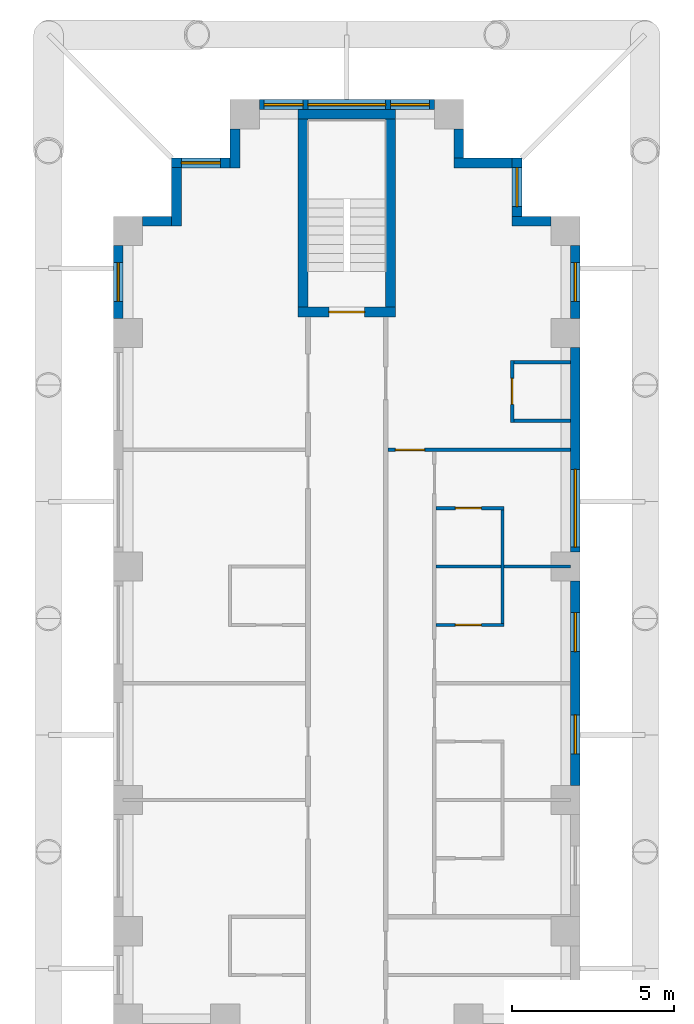
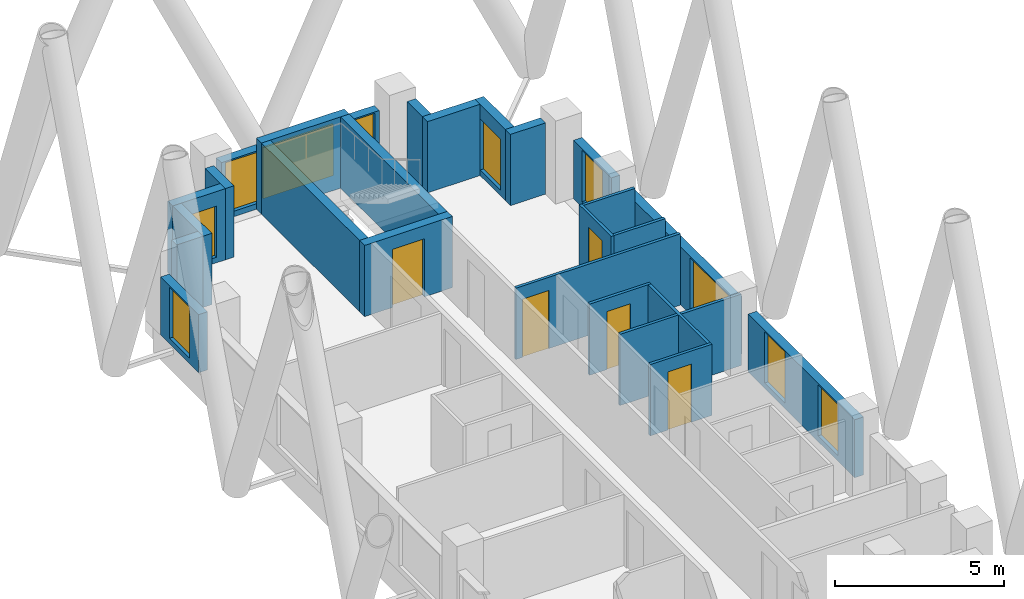
# One storey, part 13 of 17: 25 walls, 10 windows, 5 doors, 15 openings.
"""IFC4 building model written with IfcOpenShell, lengths in metres."""

from ifc_helpers import new_model, si_unit, direction, frame, frame_2d, origin, place, context, subcontext, project, spatial, rectangle, extrude, material, layer, layer_set, type_object, element, fill, save


model = new_model("IFC4")

# Units and contexts
model_context = context("Model", 3, precision=1e-05, world=origin(), true_north=direction((0.0, 1.0)))
body_context = subcontext(model_context, "Body", "Model", "MODEL_VIEW")
ifc_project = project(units=[si_unit("LENGTHUNIT", "METRE"), si_unit("AREAUNIT", "SQUARE_METRE"), si_unit("VOLUMEUNIT", "CUBIC_METRE"), si_unit("PLANEANGLEUNIT", "RADIAN"), si_unit("MASSUNIT", "GRAM", prefix="KILO")], contexts=[model_context])

# Site, building, storey
site_placement = place(None, origin())
site = spatial("IfcSite", under=ifc_project, at=site_placement, CompositionType="ELEMENT")
building_placement = place(site_placement, origin())
building = spatial("IfcBuilding", under=site, at=building_placement, Name="Fustian Cross Tower", CompositionType="ELEMENT")
storey_placement = place(building_placement, frame((0.0, 0.0, 56.699951171875)))
storey = spatial("IfcBuildingStorey", under=building, at=storey_placement, Name="L17", CompositionType="ELEMENT", Elevation=56.699951171875)

# Wall, opening, door
ifc_material_1 = material(Name="Plasterboard on steel stud", Category="steel")
ifc_layer_1 = layer(ifc_material_1, 0.10009765625)
ifc_layer_set_1 = layer_set([ifc_layer_1], Name="Plasterboard on steel stud")
wall_type_1 = type_object("IfcWallType", Name="PARTITION 100 STUD", PredefinedType="PARTITIONING", material=ifc_layer_set_1)
wall_1_placement = place(storey_placement, frame((1.27490234375, 32.39990234375, 0.0), z_axis=(0.0, 0.0, 1.0), x_axis=(1.0, 0.0, 0.0)))
wall_1 = element("IfcWall", 1, at=wall_1_placement, inside=storey, type_object=wall_type_1, Name="Partition 63", PredefinedType="PARTITIONING", context=body_context, shape_type="SweptSolid", body=[
    extrude(rectangle(XDim=5.625, YDim=0.10009765625, at=frame_2d((2.8125, 0.0))), origin(), (0.0, 0.0, 1.0), 2.574951171875),
])
opening_1_placement = place(wall_1_placement, frame((0.22509765625, 0.0, 0.0)))
opening_1 = element("IfcOpeningElement", 2, at=opening_1_placement, cuts=wall_1, Name="Opening D09035", PredefinedType="OPENING", context=body_context, shape_type="SweptSolid", body=[
    extrude(rectangle(XDim=0.89990234375, YDim=2.10009765625, at=frame_2d((0.449951171875, 1.050048828125))), frame((0.0, 0.06005859375, 0.0), z_axis=(0.0, -1.0, 0.0), x_axis=(1.0, 0.0, 0.0)), (0.0, 0.0, 1.0), 0.1201171875),
])
ifc_material_2 = material(Name="Painted timber", Category="wood")
door_type_1 = type_object("IfcDoorType", Name="SWING DOOR 900", OperationType="SINGLE_SWING_LEFT", PredefinedType="DOOR", material=ifc_material_2)
door_1_placement = place(opening_1_placement, frame((0.89990234375, 0.0, 0.0), z_axis=(0.0, 0.0, 1.0), x_axis=(-1.0, 0.0, 0.0)))
door_1 = element("IfcDoor", 3, at=door_1_placement, inside=storey, type_object=door_type_1, Name="Door D09035", OperationType="SINGLE_SWING_RIGHT", OverallHeight=2.10009765625, OverallWidth=0.89990234375, PredefinedType="DOOR", context=body_context, shape_type="SweptSolid", body=[
    extrude(rectangle(XDim=0.89990234375, YDim=2.10009765625, at=frame_2d((0.449951171875, 1.050048828125))), frame((0.0, 0.02490234375, 0.0), z_axis=(0.0, -1.0, 0.0), x_axis=(1.0, 0.0, 0.0)), (0.0, 0.0, 1.0), 0.050048828125),
])
fill(opening_1, door_1)

wall_2_placement = place(storey_placement, frame((2.75, 27.0, 0.0), z_axis=(0.0, 0.0, 1.0), x_axis=(1.0, 0.0, 0.0)))
wall_2 = element("IfcWall", 4, at=wall_2_placement, inside=storey, type_object=wall_type_1, Name="Partition 73", PredefinedType="PARTITIONING", context=body_context, shape_type="SweptSolid", body=[
    extrude(rectangle(XDim=2.10009765625, YDim=0.10009765625, at=frame_2d((1.050048828125, 0.0))), origin(), (0.0, 0.0, 1.0), 2.574951171875),
])
opening_2_placement = place(wall_2_placement, frame((0.60009765625, 0.0, 0.0)))
opening_2 = element("IfcOpeningElement", 5, at=opening_2_placement, cuts=wall_2, Name="Opening D09042", PredefinedType="OPENING", context=body_context, shape_type="SweptSolid", body=[
    extrude(rectangle(XDim=0.800048828125, YDim=2.10009765625, at=frame_2d((0.39990234375, 1.050048828125))), frame((0.0, 0.06005859375, 0.0), z_axis=(0.0, -1.0, 0.0), x_axis=(1.0, 0.0, 0.0)), (0.0, 0.0, 1.0), 0.1201171875),
])
ifc_material_3 = material(Name="Painted timber", Category="wood")
door_type_2 = type_object("IfcDoorType", Name="SWING DOOR 800", OperationType="SINGLE_SWING_LEFT", PredefinedType="DOOR", material=ifc_material_3)
door_2_placement = place(opening_2_placement, origin())
door_2 = element("IfcDoor", 6, at=door_2_placement, inside=storey, type_object=door_type_2, Name="Door D09042", OperationType="SINGLE_SWING_LEFT", OverallHeight=2.10009765625, OverallWidth=0.800048828125, PredefinedType="DOOR", context=body_context, shape_type="SweptSolid", body=[
    extrude(rectangle(XDim=0.800048828125, YDim=2.10009765625, at=frame_2d((0.39990234375, 1.050048828125))), frame((0.0, 0.02490234375, 0.0), z_axis=(0.0, -1.0, 0.0), x_axis=(1.0, 0.0, 0.0)), (0.0, 0.0, 1.0), 0.050048828125),
])
fill(opening_2, door_2)

# Wall
wall_3_placement = place(storey_placement, frame((2.75, 28.800048828125, 0.0), z_axis=(0.0, 0.0, 1.0), x_axis=(1.0, 0.0, 0.0)))
element("IfcWall", 7, at=wall_3_placement, inside=storey, type_object=wall_type_1, Name="Partition 74", PredefinedType="PARTITIONING", context=body_context, shape_type="SweptSolid", body=[
    extrude(rectangle(XDim=4.14990234375, YDim=0.10009765625, at=frame_2d((2.074951171875, 0.0))), origin(), (0.0, 0.0, 1.0), 2.574951171875),
])

# Wall, opening, door
wall_4_placement = place(storey_placement, frame((2.75, 30.60009765625, 0.0), z_axis=(0.0, 0.0, 1.0), x_axis=(1.0, 0.0, 0.0)))
wall_4 = element("IfcWall", 8, at=wall_4_placement, inside=storey, type_object=wall_type_1, Name="Partition 75", PredefinedType="PARTITIONING", context=body_context, shape_type="SweptSolid", body=[
    extrude(rectangle(XDim=2.10009765625, YDim=0.10009765625, at=frame_2d((1.050048828125, 0.0))), origin(), (0.0, 0.0, 1.0), 2.574951171875),
])
opening_3_placement = place(wall_4_placement, frame((0.60009765625, 0.0, 0.0)))
opening_3 = element("IfcOpeningElement", 9, at=opening_3_placement, cuts=wall_4, Name="Opening D09043", PredefinedType="OPENING", context=body_context, shape_type="SweptSolid", body=[
    extrude(rectangle(XDim=0.800048828125, YDim=2.10009765625, at=frame_2d((0.39990234375, 1.050048828125))), frame((0.0, 0.06005859375, 0.0), z_axis=(0.0, -1.0, 0.0), x_axis=(1.0, 0.0, 0.0)), (0.0, 0.0, 1.0), 0.1201171875),
])
door_3_placement = place(opening_3_placement, frame((0.800048828125, 0.0, 0.0), z_axis=(0.0, 0.0, 1.0), x_axis=(-1.0, 0.0, 0.0)))
door_3 = element("IfcDoor", 10, at=door_3_placement, inside=storey, type_object=door_type_2, Name="Door D09043", OperationType="SINGLE_SWING_RIGHT", OverallHeight=2.10009765625, OverallWidth=0.800048828125, PredefinedType="DOOR", context=body_context, shape_type="SweptSolid", body=[
    extrude(rectangle(XDim=0.800048828125, YDim=2.10009765625, at=frame_2d((0.39990234375, 1.050048828125))), frame((0.0, 0.02490234375, 0.0), z_axis=(0.0, -1.0, 0.0), x_axis=(1.0, 0.0, 0.0)), (0.0, 0.0, 1.0), 0.050048828125),
])
fill(opening_3, door_3)

# Wall
wall_5_placement = place(storey_placement, frame((4.800048828125, 27.050048828125, 0.0), z_axis=(0.0, 0.0, 1.0), x_axis=(0.0, 1.0, 0.0)))
element("IfcWall", 11, at=wall_5_placement, inside=storey, type_object=wall_type_1, Name="Partition 79", PredefinedType="PARTITIONING", context=body_context, shape_type="SweptSolid", body=[
    extrude(rectangle(XDim=3.5, YDim=0.10009765625, at=frame_2d((1.75, 0.0))), origin(), (0.0, 0.0, 1.0), 2.574951171875),
])

# Wall, opening, door
wall_6_placement = place(storey_placement, frame((5.10009765625, 33.25, 0.0), z_axis=(0.0, 0.0, 1.0), x_axis=(0.0, 1.0, 0.0)))
wall_6 = element("IfcWall", 12, at=wall_6_placement, inside=storey, type_object=wall_type_1, Name="Partition 83", PredefinedType="PARTITIONING", context=body_context, shape_type="SweptSolid", body=[
    extrude(rectangle(XDim=1.89990234375, YDim=0.10009765625, at=frame_2d((0.949951171875, 0.0))), origin(), (0.0, 0.0, 1.0), 2.574951171875),
])
opening_4_placement = place(wall_6_placement, frame((0.550048828125, 0.0, 0.0)))
opening_4 = element("IfcOpeningElement", 13, at=opening_4_placement, cuts=wall_6, Name="Opening D09033", PredefinedType="OPENING", context=body_context, shape_type="SweptSolid", body=[
    extrude(rectangle(XDim=0.800048828125, YDim=2.10009765625, at=frame_2d((0.39990234375, 1.050048828125))), frame((0.0, 0.06005859375, 0.0), z_axis=(0.0, -1.0, 0.0), x_axis=(1.0, 0.0, 0.0)), (0.0, 0.0, 1.0), 0.1201171875),
])
door_4_placement = place(opening_4_placement, frame((0.800048828125, 0.0, 0.0), z_axis=(0.0, 0.0, 1.0), x_axis=(-1.0, 0.0, 0.0)))
door_4 = element("IfcDoor", 14, at=door_4_placement, inside=storey, type_object=door_type_2, Name="Door D09033", OperationType="SINGLE_SWING_LEFT", OverallHeight=2.10009765625, OverallWidth=0.800048828125, PredefinedType="DOOR", context=body_context, shape_type="SweptSolid", body=[
    extrude(rectangle(XDim=0.800048828125, YDim=2.10009765625, at=frame_2d((0.39990234375, 1.050048828125))), frame((0.0, 0.02490234375, 0.0), z_axis=(0.0, -1.0, 0.0), x_axis=(1.0, 0.0, 0.0)), (0.0, 0.0, 1.0), 0.050048828125),
])
fill(opening_4, door_4)

# Walls
for number, where, z_axis, x_axis, name in (
    (15, (5.14990234375, 33.300048828125, 0.0), (0.0, 0.0, 1.0), (1.0, 0.0, 0.0), "Partition 84"),
    (16, (5.14990234375, 35.10009765625, 0.0), (0.0, 0.0, 1.0), (1.0, 0.0, 0.0), "Partition 85"),
):
    element("IfcWall", number, at=place(storey_placement, frame(where, z_axis=z_axis, x_axis=x_axis)), inside=storey, type_object=wall_type_1, Name=name, PredefinedType="PARTITIONING", context=body_context, shape_type="SweptSolid", body=[
        extrude(rectangle(XDim=1.75, YDim=0.10009765625, at=frame_2d((0.875, 0.0))), origin(), (0.0, 0.0, 1.0), 2.574951171875),
    ])

# Wall, opening, door
ifc_material_4 = material(Name="Concrete C50/60", Category="concrete")
ifc_layer_2 = layer(ifc_material_4, 0.300048828125)
ifc_layer_set_2 = layer_set([ifc_layer_2], Name="Concrete C50/60")
wall_type_2 = type_object("IfcWallType", Name="STAIR ENCLOSURE WALL 300 C50/60", PredefinedType="SHEAR", material=ifc_layer_set_2)
wall_7_placement = place(storey_placement, frame((-1.5, 36.64990234375, 0.0), z_axis=(0.0, 0.0, 1.0), x_axis=(1.0, 0.0, 0.0)))
wall_7 = element("IfcWall", 17, at=wall_7_placement, inside=storey, type_object=wall_type_2, Name="Stair enclosure wall", PredefinedType="SHEAR", context=body_context, shape_type="SweptSolid", body=[
    extrude(rectangle(XDim=3.0, YDim=0.300048828125, at=frame_2d((1.5, 0.0))), origin(), (0.0, 0.0, 1.0), 2.574951171875),
])
opening_5_placement = place(wall_7_placement, frame((0.949951171875, 0.0, 0.0)))
opening_5 = element("IfcOpeningElement", 18, at=opening_5_placement, cuts=wall_7, Name="Opening CD-06-31", PredefinedType="OPENING", context=body_context, shape_type="SweptSolid", body=[
    extrude(rectangle(XDim=1.10009765625, YDim=2.10009765625, at=frame_2d((0.550048828125, 1.050048828125))), frame((0.0, 0.159912109375, 0.0), z_axis=(0.0, -1.0, 0.0), x_axis=(1.0, 0.0, 0.0)), (0.0, 0.0, 1.0), 0.320068359375),
])
ifc_material_5 = material(Name="Steel", Category="steel")
door_type_3 = type_object("IfcDoorType", Name="FIRE DOOR FD60S 1100X2100", OperationType="SINGLE_SWING_LEFT", PredefinedType="DOOR", material=ifc_material_5)
door_5_placement = place(opening_5_placement, origin())
door_5 = element("IfcDoor", 19, at=door_5_placement, inside=storey, type_object=door_type_3, Name="Core door CD-06-31", OperationType="SINGLE_SWING_LEFT", OverallHeight=2.10009765625, OverallWidth=1.10009765625, PredefinedType="DOOR", context=body_context, shape_type="SweptSolid", body=[
    extrude(rectangle(XDim=1.10009765625, YDim=2.10009765625, at=frame_2d((0.550048828125, 1.050048828125))), frame((0.0, 0.02490234375, 0.0), z_axis=(0.0, -1.0, 0.0), x_axis=(1.0, 0.0, 0.0)), (0.0, 0.0, 1.0), 0.050048828125),
])
fill(opening_5, door_5)

# Walls
wall_8_placement = place(storey_placement, frame((-1.5, 42.75, 0.0), z_axis=(0.0, 0.0, 1.0), x_axis=(1.0, 0.0, 0.0)))
element("IfcWall", 20, at=wall_8_placement, inside=storey, type_object=wall_type_2, Name="Stair enclosure wall", PredefinedType="SHEAR", context=body_context, shape_type="SweptSolid", body=[
    extrude(rectangle(XDim=3.0, YDim=0.300048828125, at=frame_2d((1.5, 0.0))), origin(), (0.0, 0.0, 1.0), 2.574951171875),
])
for number, where, z_axis, x_axis, name in (
    (21, (-1.35009765625, 36.800048828125, 0.0), (0.0, 0.0, 1.0), (0.0, 1.0, 0.0), "Stair enclosure wall"),
    (22, (1.35009765625, 36.800048828125, 0.0), (0.0, 0.0, 1.0), (0.0, 1.0, 0.0), "Stair enclosure wall"),
):
    element("IfcWall", number, at=place(storey_placement, frame(where, z_axis=z_axis, x_axis=x_axis)), inside=storey, type_object=wall_type_2, Name=name, PredefinedType="SHEAR", context=body_context, shape_type="SweptSolid", body=[
        extrude(rectangle(XDim=5.800048828125, YDim=0.300048828125, at=frame_2d((2.89990234375, 0.0))), origin(), (0.0, 0.0, 1.0), 2.574951171875),
    ])

# Wall, openings, windows
ifc_material_6 = material(Name="Dark aluminium cladding on insulated backing wall", Category="aluminium")
ifc_layer_3 = layer(ifc_material_6, 0.300048828125)
ifc_layer_set_3 = layer_set([ifc_layer_3], Name="Dark aluminium cladding on insulated backing wall")
wall_type_3 = type_object("IfcWallType", Name="XW1 EXTERNAL WALL 300", PredefinedType="SOLIDWALL", material=ifc_layer_set_3)
wall_9_placement = place(storey_placement, frame((7.050048828125, 22.050048828125, 0.0), z_axis=(0.0, 0.0, 1.0), x_axis=(0.0, 1.0, 0.0)))
wall_9 = element("IfcWall", 23, at=wall_9_placement, inside=storey, type_object=wall_type_3, Name="External wall", PredefinedType="SOLIDWALL", context=body_context, shape_type="SweptSolid", body=[
    extrude(rectangle(XDim=6.300048828125, YDim=0.300048828125, at=frame_2d((3.14990234375, 0.0))), origin(), (0.0, 0.0, 1.0), 2.10009765625),
])
opening_6_placement = place(wall_9_placement, frame((0.97509765625, 0.0, 0.199951171875)))
opening_6 = element("IfcOpeningElement", 24, at=opening_6_placement, cuts=wall_9, Name="Opening WN3", PredefinedType="OPENING", context=body_context, shape_type="SweptSolid", body=[
    extrude(rectangle(XDim=1.199951171875, YDim=1.85009765625, at=frame_2d((0.60009765625, 0.925048828125))), frame((0.0, 0.159912109375, 0.0), z_axis=(0.0, -1.0, 0.0), x_axis=(1.0, 0.0, 0.0)), (0.0, 0.0, 1.0), 0.320068359375),
])
opening_7_placement = place(wall_9_placement, frame((4.125, 0.0, 0.199951171875)))
opening_7 = element("IfcOpeningElement", 25, at=opening_7_placement, cuts=wall_9, Name="Opening WN3", PredefinedType="OPENING", context=body_context, shape_type="SweptSolid", body=[
    extrude(rectangle(XDim=1.199951171875, YDim=1.85009765625, at=frame_2d((0.60009765625, 0.925048828125))), frame((0.0, 0.159912109375, 0.0), z_axis=(0.0, -1.0, 0.0), x_axis=(1.0, 0.0, 0.0)), (0.0, 0.0, 1.0), 0.320068359375),
])
ifc_material_7 = material(Name="Dark anodised aluminium and double glazing", Category="aluminium")
window_type_1 = type_object("IfcWindowType", Name="WN3 WINDOW 1200X1850", PartitioningType="SINGLE_PANEL", PredefinedType="WINDOW", material=ifc_material_7)
window_1_placement = place(opening_6_placement, origin())
window_1 = element("IfcWindow", 26, at=window_1_placement, inside=storey, type_object=window_type_1, Name="Window", OverallHeight=1.85009765625, OverallWidth=1.199951171875, PartitioningType="SINGLE_PANEL", PredefinedType="WINDOW", context=body_context, shape_type="SweptSolid", body=[
    extrude(rectangle(XDim=1.199951171875, YDim=1.85009765625, at=frame_2d((0.60009765625, 0.925048828125))), frame((0.0, 0.030029296875, 0.0), z_axis=(0.0, -1.0, 0.0), x_axis=(1.0, 0.0, 0.0)), (0.0, 0.0, 1.0), 0.06005859375),
])
fill(opening_6, window_1)
window_2_placement = place(opening_7_placement, origin())
window_2 = element("IfcWindow", 27, at=window_2_placement, inside=storey, type_object=window_type_1, Name="Window", OverallHeight=1.85009765625, OverallWidth=1.199951171875, PartitioningType="SINGLE_PANEL", PredefinedType="WINDOW", context=body_context, shape_type="SweptSolid", body=[
    extrude(rectangle(XDim=1.199951171875, YDim=1.85009765625, at=frame_2d((0.60009765625, 0.925048828125))), frame((0.0, 0.030029296875, 0.0), z_axis=(0.0, -1.0, 0.0), x_axis=(1.0, 0.0, 0.0)), (0.0, 0.0, 1.0), 0.06005859375),
])
fill(opening_7, window_2)

# Wall, opening, window
wall_10_placement = place(storey_placement, frame((7.050048828125, 29.25, 0.0), z_axis=(0.0, 0.0, 1.0), x_axis=(0.0, 1.0, 0.0)))
wall_10 = element("IfcWall", 28, at=wall_10_placement, inside=storey, type_object=wall_type_3, Name="External wall", PredefinedType="SOLIDWALL", context=body_context, shape_type="SweptSolid", body=[
    extrude(rectangle(XDim=6.300048828125, YDim=0.300048828125, at=frame_2d((3.14990234375, 0.0))), origin(), (0.0, 0.0, 1.0), 2.10009765625),
])
opening_8_placement = place(wall_10_placement, frame((0.14990234375, 0.0, 0.199951171875)))
opening_8 = element("IfcOpeningElement", 29, at=opening_8_placement, cuts=wall_10, Name="Opening WN1", PredefinedType="OPENING", context=body_context, shape_type="SweptSolid", body=[
    extrude(rectangle(XDim=2.39990234375, YDim=1.85009765625, at=frame_2d((1.199951171875, 0.925048828125))), frame((0.0, 0.159912109375, 0.0), z_axis=(0.0, -1.0, 0.0), x_axis=(1.0, 0.0, 0.0)), (0.0, 0.0, 1.0), 0.320068359375),
])
ifc_material_8 = material(Name="Dark anodised aluminium and double glazing", Category="aluminium")
window_type_2 = type_object("IfcWindowType", Name="WN1 WINDOW 2400X1850", PartitioningType="SINGLE_PANEL", PredefinedType="WINDOW", material=ifc_material_8)
window_3_placement = place(opening_8_placement, origin())
window_3 = element("IfcWindow", 30, at=window_3_placement, inside=storey, type_object=window_type_2, Name="Window", OverallHeight=1.85009765625, OverallWidth=2.39990234375, PartitioningType="SINGLE_PANEL", PredefinedType="WINDOW", context=body_context, shape_type="SweptSolid", body=[
    extrude(rectangle(XDim=2.39990234375, YDim=1.85009765625, at=frame_2d((1.199951171875, 0.925048828125))), frame((0.0, 0.030029296875, 0.0), z_axis=(0.0, -1.0, 0.0), x_axis=(1.0, 0.0, 0.0)), (0.0, 0.0, 1.0), 0.06005859375),
])
fill(opening_8, window_3)

wall_11_placement = place(storey_placement, frame((7.050048828125, 36.449951171875, 0.0), z_axis=(0.0, 0.0, 1.0), x_axis=(0.0, 1.0, 0.0)))
wall_11 = element("IfcWall", 31, at=wall_11_placement, inside=storey, type_object=wall_type_3, Name="External wall", PredefinedType="SOLIDWALL", context=body_context, shape_type="SweptSolid", body=[
    extrude(rectangle(XDim=2.25, YDim=0.300048828125, at=frame_2d((1.125, 0.0))), origin(), (0.0, 0.0, 1.0), 2.10009765625),
])
opening_9_placement = place(wall_11_placement, frame((0.52490234375, 0.0, 0.199951171875)))
opening_9 = element("IfcOpeningElement", 32, at=opening_9_placement, cuts=wall_11, Name="Opening WN3", PredefinedType="OPENING", context=body_context, shape_type="SweptSolid", body=[
    extrude(rectangle(XDim=1.199951171875, YDim=1.85009765625, at=frame_2d((0.60009765625, 0.925048828125))), frame((0.0, 0.159912109375, 0.0), z_axis=(0.0, -1.0, 0.0), x_axis=(1.0, 0.0, 0.0)), (0.0, 0.0, 1.0), 0.320068359375),
])
window_4_placement = place(opening_9_placement, origin())
window_4 = element("IfcWindow", 33, at=window_4_placement, inside=storey, type_object=window_type_1, Name="Window", OverallHeight=1.85009765625, OverallWidth=1.199951171875, PartitioningType="SINGLE_PANEL", PredefinedType="WINDOW", context=body_context, shape_type="SweptSolid", body=[
    extrude(rectangle(XDim=1.199951171875, YDim=1.85009765625, at=frame_2d((0.60009765625, 0.925048828125))), frame((0.0, 0.030029296875, 0.0), z_axis=(0.0, -1.0, 0.0), x_axis=(1.0, 0.0, 0.0)), (0.0, 0.0, 1.0), 0.06005859375),
])
fill(opening_9, window_4)

# Wall
wall_12_placement = place(storey_placement, frame((6.300048828125, 39.449951171875, 0.0), z_axis=(0.0, 0.0, 1.0), x_axis=(-1.0, 0.0, 0.0)))
element("IfcWall", 34, at=wall_12_placement, inside=storey, type_object=wall_type_3, Name="External wall", PredefinedType="SOLIDWALL", context=body_context, shape_type="SweptSolid", body=[
    extrude(rectangle(XDim=1.199951171875, YDim=0.300048828125, at=frame_2d((0.60009765625, 0.0))), origin(), (0.0, 0.0, 1.0), 2.574951171875),
])

# Wall, opening, window
wall_13_placement = place(storey_placement, frame((5.25, 39.60009765625, 0.0), z_axis=(0.0, 0.0, 1.0), x_axis=(0.0, 1.0, 0.0)))
wall_13 = element("IfcWall", 35, at=wall_13_placement, inside=storey, type_object=wall_type_3, Name="External wall", PredefinedType="SOLIDWALL", context=body_context, shape_type="SweptSolid", body=[
    extrude(rectangle(XDim=1.7998046875, YDim=0.300048828125, at=frame_2d((0.89990234375, 0.0))), origin(), (0.0, 0.0, 1.0), 2.574951171875),
])
opening_10_placement = place(wall_13_placement, frame((0.300048828125, 0.0, 0.199951171875)))
opening_10 = element("IfcOpeningElement", 36, at=opening_10_placement, cuts=wall_13, Name="Opening WN3", PredefinedType="OPENING", context=body_context, shape_type="SweptSolid", body=[
    extrude(rectangle(XDim=1.199951171875, YDim=1.85009765625, at=frame_2d((0.60009765625, 0.925048828125))), frame((0.0, 0.159912109375, 0.0), z_axis=(0.0, -1.0, 0.0), x_axis=(1.0, 0.0, 0.0)), (0.0, 0.0, 1.0), 0.320068359375),
])
window_5_placement = place(opening_10_placement, origin())
window_5 = element("IfcWindow", 37, at=window_5_placement, inside=storey, type_object=window_type_1, Name="Window", OverallHeight=1.85009765625, OverallWidth=1.199951171875, PartitioningType="SINGLE_PANEL", PredefinedType="WINDOW", context=body_context, shape_type="SweptSolid", body=[
    extrude(rectangle(XDim=1.199951171875, YDim=1.85009765625, at=frame_2d((0.60009765625, 0.925048828125))), frame((0.0, 0.030029296875, 0.0), z_axis=(0.0, -1.0, 0.0), x_axis=(1.0, 0.0, 0.0)), (0.0, 0.0, 1.0), 0.06005859375),
])
fill(opening_10, window_5)

# Walls
wall_14_placement = place(storey_placement, frame((5.10009765625, 41.25, 0.0), z_axis=(0.0, 0.0, 1.0), x_axis=(-1.0, 0.0, 0.0)))
element("IfcWall", 38, at=wall_14_placement, inside=storey, type_object=wall_type_3, Name="External wall", PredefinedType="SOLIDWALL", context=body_context, shape_type="SweptSolid", body=[
    extrude(rectangle(XDim=1.800048828125, YDim=0.300048828125, at=frame_2d((0.89990234375, 0.0))), origin(), (0.0, 0.0, 1.0), 2.574951171875),
])
wall_15_placement = place(storey_placement, frame((3.449951171875, 41.39990234375, 0.0), z_axis=(0.0, 0.0, 1.0), x_axis=(0.0, 1.0, 0.0)))
element("IfcWall", 39, at=wall_15_placement, inside=storey, type_object=wall_type_3, Name="External wall", PredefinedType="SOLIDWALL", context=body_context, shape_type="SweptSolid", body=[
    extrude(rectangle(XDim=0.900146484375, YDim=0.300048828125, at=frame_2d((0.4501953125, 0.0))), origin(), (0.0, 0.0, 1.0), 2.574951171875),
])

# Wall, openings, windows
wall_16_placement = place(storey_placement, frame((2.699951171875, 43.050048828125, 0.0), z_axis=(0.0, 0.0, 1.0), x_axis=(-1.0, 0.0, 0.0)))
wall_16 = element("IfcWall", 40, at=wall_16_placement, inside=storey, type_object=wall_type_3, Name="External wall", PredefinedType="SOLIDWALL", context=body_context, shape_type="SweptSolid", body=[
    extrude(rectangle(XDim=5.39990234375, YDim=0.300048828125, at=frame_2d((2.699951171875, 0.0))), origin(), (0.0, 0.0, 1.0), 2.10009765625),
])
opening_11_placement = place(wall_16_placement, frame((1.5, 0.0, 0.199951171875)))
opening_11 = element("IfcOpeningElement", 41, at=opening_11_placement, cuts=wall_16, Name="Opening WN1", PredefinedType="OPENING", context=body_context, shape_type="SweptSolid", body=[
    extrude(rectangle(XDim=2.39990234375, YDim=1.85009765625, at=frame_2d((1.199951171875, 0.925048828125))), frame((0.0, 0.159912109375, 0.0), z_axis=(0.0, -1.0, 0.0), x_axis=(1.0, 0.0, 0.0)), (0.0, 0.0, 1.0), 0.320068359375),
])
opening_12_placement = place(wall_16_placement, frame((0.14990234375, 0.0, 0.199951171875)))
opening_12 = element("IfcOpeningElement", 42, at=opening_12_placement, cuts=wall_16, Name="Opening WN3", PredefinedType="OPENING", context=body_context, shape_type="SweptSolid", body=[
    extrude(rectangle(XDim=1.199951171875, YDim=1.85009765625, at=frame_2d((0.60009765625, 0.925048828125))), frame((0.0, 0.159912109375, 0.0), z_axis=(0.0, -1.0, 0.0), x_axis=(1.0, 0.0, 0.0)), (0.0, 0.0, 1.0), 0.320068359375),
])
opening_13_placement = place(wall_16_placement, frame((4.050048828125, 0.0, 0.199951171875)))
opening_13 = element("IfcOpeningElement", 43, at=opening_13_placement, cuts=wall_16, Name="Opening WN3", PredefinedType="OPENING", context=body_context, shape_type="SweptSolid", body=[
    extrude(rectangle(XDim=1.199951171875, YDim=1.85009765625, at=frame_2d((0.60009765625, 0.925048828125))), frame((0.0, 0.159912109375, 0.0), z_axis=(0.0, -1.0, 0.0), x_axis=(1.0, 0.0, 0.0)), (0.0, 0.0, 1.0), 0.320068359375),
])
window_6_placement = place(opening_11_placement, origin())
window_6 = element("IfcWindow", 44, at=window_6_placement, inside=storey, type_object=window_type_2, Name="Window", OverallHeight=1.85009765625, OverallWidth=2.39990234375, PartitioningType="SINGLE_PANEL", PredefinedType="WINDOW", context=body_context, shape_type="SweptSolid", body=[
    extrude(rectangle(XDim=2.39990234375, YDim=1.85009765625, at=frame_2d((1.199951171875, 0.925048828125))), frame((0.0, 0.030029296875, 0.0), z_axis=(0.0, -1.0, 0.0), x_axis=(1.0, 0.0, 0.0)), (0.0, 0.0, 1.0), 0.06005859375),
])
fill(opening_11, window_6)
window_7_placement = place(opening_12_placement, origin())
window_7 = element("IfcWindow", 45, at=window_7_placement, inside=storey, type_object=window_type_1, Name="Window", OverallHeight=1.85009765625, OverallWidth=1.199951171875, PartitioningType="SINGLE_PANEL", PredefinedType="WINDOW", context=body_context, shape_type="SweptSolid", body=[
    extrude(rectangle(XDim=1.199951171875, YDim=1.85009765625, at=frame_2d((0.60009765625, 0.925048828125))), frame((0.0, 0.030029296875, 0.0), z_axis=(0.0, -1.0, 0.0), x_axis=(1.0, 0.0, 0.0)), (0.0, 0.0, 1.0), 0.06005859375),
])
fill(opening_12, window_7)
window_8_placement = place(opening_13_placement, origin())
window_8 = element("IfcWindow", 46, at=window_8_placement, inside=storey, type_object=window_type_1, Name="Window", OverallHeight=1.85009765625, OverallWidth=1.199951171875, PartitioningType="SINGLE_PANEL", PredefinedType="WINDOW", context=body_context, shape_type="SweptSolid", body=[
    extrude(rectangle(XDim=1.199951171875, YDim=1.85009765625, at=frame_2d((0.60009765625, 0.925048828125))), frame((0.0, 0.030029296875, 0.0), z_axis=(0.0, -1.0, 0.0), x_axis=(1.0, 0.0, 0.0)), (0.0, 0.0, 1.0), 0.06005859375),
])
fill(opening_13, window_8)

# Wall
wall_17_placement = place(storey_placement, frame((-3.449951171875, 42.300048828125, 0.0), z_axis=(0.0, 0.0, 1.0), x_axis=(0.0, -1.0, 0.0)))
element("IfcWall", 47, at=wall_17_placement, inside=storey, type_object=wall_type_3, Name="External wall", PredefinedType="SOLIDWALL", context=body_context, shape_type="SweptSolid", body=[
    extrude(rectangle(XDim=1.199951171875, YDim=0.300048828125, at=frame_2d((0.60009765625, 0.0))), origin(), (0.0, 0.0, 1.0), 2.574951171875),
])

# Wall, opening, window
wall_18_placement = place(storey_placement, frame((-3.60009765625, 41.25, 0.0), z_axis=(0.0, 0.0, 1.0), x_axis=(-1.0, 0.0, 0.0)))
wall_18 = element("IfcWall", 48, at=wall_18_placement, inside=storey, type_object=wall_type_3, Name="External wall", PredefinedType="SOLIDWALL", context=body_context, shape_type="SweptSolid", body=[
    extrude(rectangle(XDim=1.7998046875, YDim=0.300048828125, at=frame_2d((0.89990234375, 0.0))), origin(), (0.0, 0.0, 1.0), 2.574951171875),
])
opening_14_placement = place(wall_18_placement, frame((0.300048828125, 0.0, 0.199951171875)))
opening_14 = element("IfcOpeningElement", 49, at=opening_14_placement, cuts=wall_18, Name="Opening WN3", PredefinedType="OPENING", context=body_context, shape_type="SweptSolid", body=[
    extrude(rectangle(XDim=1.199951171875, YDim=1.85009765625, at=frame_2d((0.60009765625, 0.925048828125))), frame((0.0, 0.159912109375, 0.0), z_axis=(0.0, -1.0, 0.0), x_axis=(1.0, 0.0, 0.0)), (0.0, 0.0, 1.0), 0.320068359375),
])
window_9_placement = place(opening_14_placement, origin())
window_9 = element("IfcWindow", 50, at=window_9_placement, inside=storey, type_object=window_type_1, Name="Window", OverallHeight=1.85009765625, OverallWidth=1.199951171875, PartitioningType="SINGLE_PANEL", PredefinedType="WINDOW", context=body_context, shape_type="SweptSolid", body=[
    extrude(rectangle(XDim=1.199951171875, YDim=1.85009765625, at=frame_2d((0.60009765625, 0.925048828125))), frame((0.0, 0.030029296875, 0.0), z_axis=(0.0, -1.0, 0.0), x_axis=(1.0, 0.0, 0.0)), (0.0, 0.0, 1.0), 0.06005859375),
])
fill(opening_14, window_9)

# Walls
wall_19_placement = place(storey_placement, frame((-5.25, 41.10009765625, 0.0), z_axis=(0.0, 0.0, 1.0), x_axis=(0.0, -1.0, 0.0)))
element("IfcWall", 51, at=wall_19_placement, inside=storey, type_object=wall_type_3, Name="External wall", PredefinedType="SOLIDWALL", context=body_context, shape_type="SweptSolid", body=[
    extrude(rectangle(XDim=1.800048828125, YDim=0.300048828125, at=frame_2d((0.89990234375, 0.0))), origin(), (0.0, 0.0, 1.0), 2.574951171875),
])
wall_20_placement = place(storey_placement, frame((-5.39990234375, 39.449951171875, 0.0), z_axis=(0.0, 0.0, 1.0), x_axis=(-1.0, 0.0, 0.0)))
element("IfcWall", 52, at=wall_20_placement, inside=storey, type_object=wall_type_3, Name="External wall", PredefinedType="SOLIDWALL", context=body_context, shape_type="SweptSolid", body=[
    extrude(rectangle(XDim=0.900146484375, YDim=0.300048828125, at=frame_2d((0.4501953125, 0.0))), origin(), (0.0, 0.0, 1.0), 2.574951171875),
])

# Wall, opening, window
wall_21_placement = place(storey_placement, frame((-7.050048828125, 38.699951171875, 0.0), z_axis=(0.0, 0.0, 1.0), x_axis=(0.0, -1.0, 0.0)))
wall_21 = element("IfcWall", 53, at=wall_21_placement, inside=storey, type_object=wall_type_3, Name="External wall", PredefinedType="SOLIDWALL", context=body_context, shape_type="SweptSolid", body=[
    extrude(rectangle(XDim=2.25, YDim=0.300048828125, at=frame_2d((1.125, 0.0))), origin(), (0.0, 0.0, 1.0), 2.10009765625),
])
opening_15_placement = place(wall_21_placement, frame((0.52490234375, 0.0, 0.199951171875)))
opening_15 = element("IfcOpeningElement", 54, at=opening_15_placement, cuts=wall_21, Name="Opening WN3", PredefinedType="OPENING", context=body_context, shape_type="SweptSolid", body=[
    extrude(rectangle(XDim=1.199951171875, YDim=1.85009765625, at=frame_2d((0.60009765625, 0.925048828125))), frame((0.0, 0.159912109375, 0.0), z_axis=(0.0, -1.0, 0.0), x_axis=(1.0, 0.0, 0.0)), (0.0, 0.0, 1.0), 0.320068359375),
])
window_10_placement = place(opening_15_placement, origin())
window_10 = element("IfcWindow", 55, at=window_10_placement, inside=storey, type_object=window_type_1, Name="Window", OverallHeight=1.85009765625, OverallWidth=1.199951171875, PartitioningType="SINGLE_PANEL", PredefinedType="WINDOW", context=body_context, shape_type="SweptSolid", body=[
    extrude(rectangle(XDim=1.199951171875, YDim=1.85009765625, at=frame_2d((0.60009765625, 0.925048828125))), frame((0.0, 0.030029296875, 0.0), z_axis=(0.0, -1.0, 0.0), x_axis=(1.0, 0.0, 0.0)), (0.0, 0.0, 1.0), 0.06005859375),
])
fill(opening_15, window_10)

save(model, "model.ifc")
